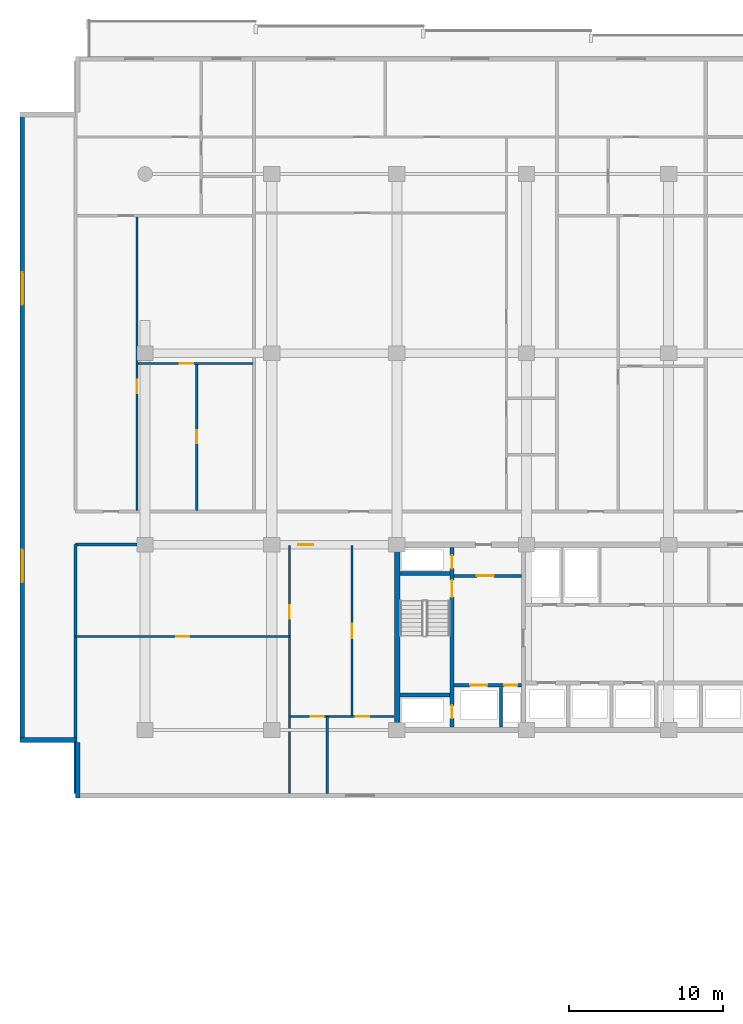
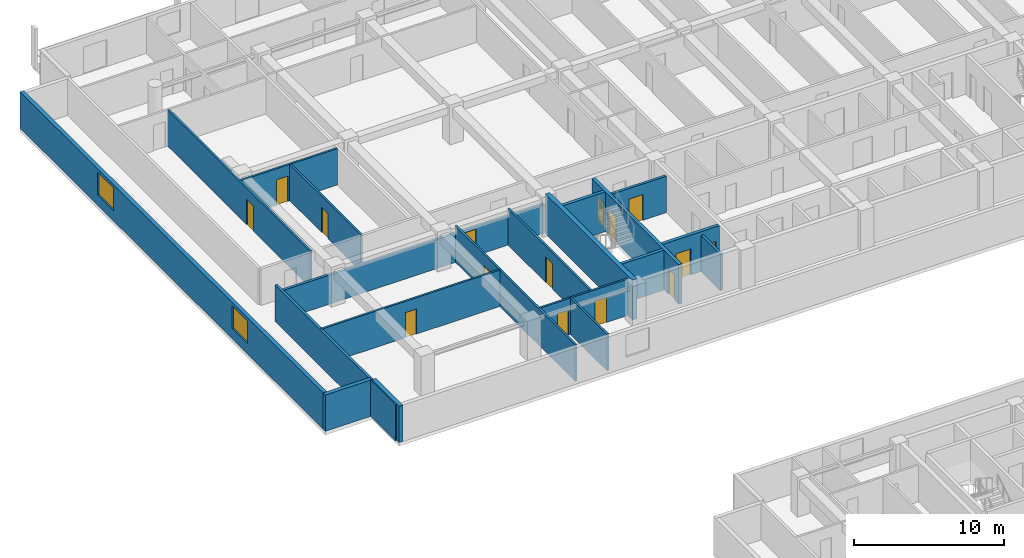
# One storey, part 10 of 24: 20 walls, 15 doors, 2 windows, 17 openings.
"""IFC4 building model written with IfcOpenShell, lengths in metres."""

from ifc_helpers import new_model, si_unit, direction, frame, frame_2d, origin, place, context, subcontext, project, spatial, rectangle, extrude, material, layer, layer_set, type_object, element, fill, save


model = new_model("IFC4")

# Units and contexts
model_context = context("Model", 3, precision=1e-05, world=origin(), true_north=direction((0.0, 1.0)))
body_context = subcontext(model_context, "Body", "Model", "MODEL_VIEW")
ifc_project = project(units=[si_unit("LENGTHUNIT", "METRE"), si_unit("AREAUNIT", "SQUARE_METRE"), si_unit("VOLUMEUNIT", "CUBIC_METRE"), si_unit("PLANEANGLEUNIT", "RADIAN"), si_unit("MASSUNIT", "GRAM", prefix="KILO")], contexts=[model_context])

# Site, building, storey
site_placement = place(None, origin())
site = spatial("IfcSite", under=ifc_project, at=site_placement, CompositionType="ELEMENT")
building_placement = place(site_placement, origin())
building = spatial("IfcBuilding", under=site, at=building_placement, Name="Korimba Cascade Residences", CompositionType="ELEMENT")
storey_placement = place(building_placement, frame((0.0, 0.0, 66.25)))
storey = spatial("IfcBuildingStorey", under=building, at=storey_placement, Name="L18", CompositionType="ELEMENT", Elevation=66.25)

# Wall, openings, windows
ifc_material_1 = material(Name="Precast concrete C40/50", Category="concrete")
ifc_layer_1 = layer(ifc_material_1, 0.300048828125)
ifc_layer_set_1 = layer_set([ifc_layer_1], Name="Precast concrete C40/50")
wall_type_1 = type_object("IfcWallType", Name="EW-STONE-300", PredefinedType="STANDARD", material=ifc_layer_set_1)
wall_1_placement = place(storey_placement, frame((51.85009765625, 95.199951171875, 0.0), z_axis=(0.0, 0.0, 1.0), x_axis=(0.0, -1.0, 0.0)))
wall_1 = element("IfcWall", 1, at=wall_1_placement, inside=storey, type_object=wall_type_1, Name="L18 T1 Perimeter Stone Wall E09", PredefinedType="STANDARD", context=body_context, shape_type="SweptSolid", body=[
    extrude(rectangle(XDim=40.800048828125, YDim=0.300048828125, at=frame_2d((20.39990234375, 0.0))), origin(), (0.0, 0.0, 1.0), 2.969970703125),
])
opening_1_placement = place(wall_1_placement, frame((10.3740234375, 0.0, 0.85009765625)))
opening_1 = element("IfcOpeningElement", 2, at=opening_1_placement, cuts=wall_1, Name="Opening W-03", PredefinedType="OPENING", context=body_context, shape_type="SweptSolid", body=[
    extrude(rectangle(XDim=2.10009765625, YDim=1.85009765625, at=frame_2d((1.050048828125, 0.925048828125))), frame((0.0, 0.16015625, 0.0), z_axis=(0.0, -1.0, 0.0), x_axis=(1.0, 0.0, 0.0)), (0.0, 0.0, 1.0), 0.320068359375),
])
opening_2_placement = place(wall_1_placement, frame((28.325927734375, 0.0, 0.85009765625)))
opening_2 = element("IfcOpeningElement", 3, at=opening_2_placement, cuts=wall_1, Name="Opening W-03", PredefinedType="OPENING", context=body_context, shape_type="SweptSolid", body=[
    extrude(rectangle(XDim=2.10009765625, YDim=1.85009765625, at=frame_2d((1.050048828125, 0.925048828125))), frame((0.0, 0.16015625, 0.0), z_axis=(0.0, -1.0, 0.0), x_axis=(1.0, 0.0, 0.0)), (0.0, 0.0, 1.0), 0.320068359375),
])
ifc_material_2 = material(Name="Double-Glazed Aluminium Window", Category="aluminium")
window_type = type_object("IfcWindowType", Name="WIN-CRN-2100", PartitioningType="DOUBLE_PANEL_HORIZONTAL", PredefinedType="WINDOW", material=ifc_material_2)
window_1_placement = place(opening_1_placement, origin())
window_1 = element("IfcWindow", 4, at=window_1_placement, inside=storey, type_object=window_type, Name="L18 T1 End View Window 9.1", OverallHeight=1.85009765625, OverallWidth=2.10009765625, PartitioningType="DOUBLE_PANEL_HORIZONTAL", PredefinedType="WINDOW", context=body_context, shape_type="SweptSolid", body=[
    extrude(rectangle(XDim=2.10009765625, YDim=1.85009765625, at=frame_2d((1.050048828125, 0.925048828125))), frame((0.0, 0.030029296875, 0.0), z_axis=(0.0, -1.0, 0.0), x_axis=(1.0, 0.0, 0.0)), (0.0, 0.0, 1.0), 0.06005859375),
])
fill(opening_1, window_1)
window_2_placement = place(opening_2_placement, origin())
window_2 = element("IfcWindow", 5, at=window_2_placement, inside=storey, type_object=window_type, Name="L18 T1 End View Window 9.2", OverallHeight=1.85009765625, OverallWidth=2.10009765625, PartitioningType="DOUBLE_PANEL_HORIZONTAL", PredefinedType="WINDOW", context=body_context, shape_type="SweptSolid", body=[
    extrude(rectangle(XDim=2.10009765625, YDim=1.85009765625, at=frame_2d((1.050048828125, 0.925048828125))), frame((0.0, 0.030029296875, 0.0), z_axis=(0.0, -1.0, 0.0), x_axis=(1.0, 0.0, 0.0)), (0.0, 0.0, 1.0), 0.06005859375),
])
fill(opening_2, window_2)

# Walls
wall_2_placement = place(storey_placement, frame((51.699951171875, 54.550048828125, 0.0), z_axis=(0.0, 0.0, 1.0), x_axis=(1.0, 0.0, 0.0)))
element("IfcWall", 6, at=wall_2_placement, inside=storey, type_object=wall_type_1, Name="L18 T1 Perimeter Stone Wall E10", PredefinedType="STANDARD", context=body_context, shape_type="SweptSolid", body=[
    extrude(rectangle(XDim=3.60009765625, YDim=0.300048828125, at=frame_2d((1.800048828125, 0.0))), origin(), (0.0, 0.0, 1.0), 2.969970703125),
])
wall_3_placement = place(storey_placement, frame((55.449951171875, 54.39990234375, 0.0), z_axis=(0.0, 0.0, 1.0), x_axis=(0.0, -1.0, 0.0)))
element("IfcWall", 7, at=wall_3_placement, inside=storey, type_object=wall_type_1, Name="L18 T1 Perimeter Stone Wall E11", PredefinedType="STANDARD", context=body_context, shape_type="SweptSolid", body=[
    extrude(rectangle(XDim=3.599853515625, YDim=0.300048828125, at=frame_2d((1.7998046875, 0.0))), origin(), (0.0, 0.0, 1.0), 2.969970703125),
])
ifc_material_3 = material(Name="Concrete C65/80", Category="concrete")
ifc_layer_2 = layer(ifc_material_3, 0.35009765625)
ifc_layer_set_2 = layer_set([ifc_layer_2], Name="Concrete C65/80")
wall_type_2 = type_object("IfcWallType", Name="WAL-CORE-350", PredefinedType="SHEAR", material=ifc_layer_set_2)
wall_4_placement = place(storey_placement, frame((76.125, 55.375, 0.0), z_axis=(0.0, 0.0, 1.0), x_axis=(0.0, 1.0, 0.0)))
element("IfcWall", 8, at=wall_4_placement, inside=storey, type_object=wall_type_2, Name="L18 Core Shear Wall CW-L18-T1-W", PredefinedType="SHEAR", context=body_context, shape_type="SweptSolid", body=[
    extrude(rectangle(XDim=11.64990234375, YDim=0.35009765625, at=frame_2d((5.824951171875, 0.0))), origin(), (0.0, 0.0, 1.0), 3.25),
])
ifc_layer_3 = layer(ifc_material_1, 0.199951171875)
ifc_layer_set_3 = layer_set([ifc_layer_3], Name="Precast concrete C40/50")
wall_type_3 = type_object("IfcWallType", Name="WAL-IT-200", PredefinedType="PARTITIONING", material=ifc_layer_set_3)
wall_5_placement = place(storey_placement, frame((55.300048828125, 51.10009765625, 0.0), z_axis=(0.0, 0.0, 1.0), x_axis=(0.0, 1.0, 0.0)))
element("IfcWall", 9, at=wall_5_placement, inside=storey, type_object=wall_type_3, Name="L18 Partition Wall WAL-L18-T1-FW-WL", PredefinedType="PARTITIONING", context=body_context, shape_type="SweptSolid", body=[
    extrude(rectangle(XDim=16.099853515625, YDim=0.199951171875, at=frame_2d((8.0498046875, 0.0))), origin(), (0.0, 0.0, 1.0), 2.969970703125),
])

# Wall, opening, door
wall_6_placement = place(storey_placement, frame((55.300048828125, 67.199951171875, 0.0), z_axis=(0.0, 0.0, 1.0), x_axis=(1.0, 0.0, 0.0)))
wall_6 = element("IfcWall", 10, at=wall_6_placement, inside=storey, type_object=wall_type_3, Name="L18 Partition Wall WAL-L18-T1-FW-N", PredefinedType="PARTITIONING", context=body_context, shape_type="SweptSolid", body=[
    extrude(rectangle(XDim=20.64990234375, YDim=0.199951171875, at=frame_2d((10.324951171875, 0.0))), origin(), (0.0, 0.0, 1.0), 2.3701171875),
])
opening_3_placement = place(wall_6_placement, frame((14.426025390625, 0.0, 0.0)))
opening_3 = element("IfcOpeningElement", 11, at=opening_3_placement, cuts=wall_6, Name="Opening D-UN1", PredefinedType="OPENING", context=body_context, shape_type="SweptSolid", body=[
    extrude(rectangle(XDim=0.949951171875, YDim=2.14990234375, at=frame_2d((0.47509765625, 1.074951171875))), frame((0.0, 0.10986328125, 0.0), z_axis=(0.0, -1.0, 0.0), x_axis=(1.0, 0.0, 0.0)), (0.0, 0.0, 1.0), 0.219970703125),
])
ifc_material_4 = material(Name="Fire-Rated Hardwood Apartment Entrance Door", Category="wood")
door_type_1 = type_object("IfcDoorType", Name="DR-FD60-950", OperationType="NOTDEFINED", PredefinedType="DOOR", material=ifc_material_4)
door_1_placement = place(opening_3_placement, origin())
door_1 = element("IfcDoor", 12, at=door_1_placement, inside=storey, type_object=door_type_1, Name="L18-T1-FW Entrance Door", OperationType="SINGLE_SWING_LEFT", OverallHeight=2.14990234375, OverallWidth=0.949951171875, PredefinedType="DOOR", context=body_context, shape_type="SweptSolid", body=[
    extrude(rectangle(XDim=0.949951171875, YDim=2.14990234375, at=frame_2d((0.47509765625, 1.074951171875))), frame((0.0, 0.02490234375, 0.0), z_axis=(0.0, -1.0, 0.0), x_axis=(1.0, 0.0, 0.0)), (0.0, 0.0, 1.0), 0.050048828125),
])
fill(opening_3, door_1)

ifc_material_5 = material(Name="Insulated Acoustic Stud Partition", Category="gypsum")
ifc_layer_4 = layer(ifc_material_5, 0.14990234375)
ifc_layer_set_4 = layer_set([ifc_layer_4], Name="Insulated Acoustic Stud Partition")
wall_type_4 = type_object("IfcWallType", Name="WAL-PART-150", PredefinedType="PARTITIONING", material=ifc_layer_set_4)
wall_7_placement = place(storey_placement, frame((55.300048828125, 61.25, 0.0), z_axis=(0.0, 0.0, 1.0), x_axis=(1.0, 0.0, 0.0)))
wall_7 = element("IfcWall", 13, at=wall_7_placement, inside=storey, type_object=wall_type_4, Name="L18 Partition Wall WAL-L18-T1-FW-STH", PredefinedType="PARTITIONING", context=body_context, shape_type="SweptSolid", body=[
    extrude(rectangle(XDim=13.849853515625, YDim=0.14990234375, at=frame_2d((6.9248046875, 0.0))), origin(), (0.0, 0.0, 1.0), 2.969970703125),
])
opening_4_placement = place(wall_7_placement, frame((6.5048828125, 0.0, 0.0)))
opening_4 = element("IfcOpeningElement", 14, at=opening_4_placement, cuts=wall_7, Name="Opening D-BT1", PredefinedType="OPENING", context=body_context, shape_type="SweptSolid", body=[
    extrude(rectangle(XDim=0.840087890625, YDim=2.0400390625, at=frame_2d((0.419921875, 1.02001953125))), frame((0.0, 0.0849609375, 0.0), z_axis=(0.0, -1.0, 0.0), x_axis=(1.0, 0.0, 0.0)), (0.0, 0.0, 1.0), 0.169921875),
])
ifc_material_6 = material(Name="Moisture-Resistant Bathroom Timber Door", Category="wood")
door_type_2 = type_object("IfcDoorType", Name="DR-INT-850", OperationType="NOTDEFINED", PredefinedType="DOOR", material=ifc_material_6)
door_2_placement = place(opening_4_placement, origin())
door_2 = element("IfcDoor", 15, at=door_2_placement, inside=storey, type_object=door_type_2, Name="L18-T1-FW Dressing Store Door", OperationType="SINGLE_SWING_RIGHT", OverallHeight=2.0400390625, OverallWidth=0.840087890625, PredefinedType="DOOR", context=body_context, shape_type="SweptSolid", body=[
    extrude(rectangle(XDim=0.840087890625, YDim=2.0400390625, at=frame_2d((0.419921875, 1.02001953125))), frame((0.0, 0.02490234375, 0.0), z_axis=(0.0, -1.0, 0.0), x_axis=(1.0, 0.0, 0.0)), (0.0, 0.0, 1.0), 0.050048828125),
])
fill(opening_4, door_2)

wall_8_placement = place(storey_placement, frame((69.14990234375, 51.10009765625, 0.0), z_axis=(0.0, 0.0, 1.0), x_axis=(0.0, 1.0, 0.0)))
wall_8 = element("IfcWall", 16, at=wall_8_placement, inside=storey, type_object=wall_type_4, Name="L18 Partition Wall WAL-L18-T1-FW-STV", PredefinedType="PARTITIONING", context=body_context, shape_type="SweptSolid", body=[
    extrude(rectangle(XDim=16.0498046875, YDim=0.14990234375, at=frame_2d((8.02490234375, 0.0))), origin(), (0.0, 0.0, 1.0), 2.969970703125),
])
opening_5_placement = place(wall_8_placement, frame((11.300048828125, 0.0, 0.0)))
opening_5 = element("IfcOpeningElement", 17, at=opening_5_placement, cuts=wall_8, Name="Opening D-IN2", PredefinedType="OPENING", context=body_context, shape_type="SweptSolid", body=[
    extrude(rectangle(XDim=0.8798828125, YDim=2.06005859375, at=frame_2d((0.43994140625, 1.030029296875))), frame((0.0, 0.0849609375, 0.0), z_axis=(0.0, -1.0, 0.0), x_axis=(1.0, 0.0, 0.0)), (0.0, 0.0, 1.0), 0.169921875),
])
ifc_material_7 = material(Name="Acoustic Timber Bedroom Door", Category="wood")
door_type_3 = type_object("IfcDoorType", Name="DR-INT-880", OperationType="NOTDEFINED", PredefinedType="DOOR", material=ifc_material_7)
door_3_placement = place(opening_5_placement, origin())
door_3 = element("IfcDoor", 18, at=door_3_placement, inside=storey, type_object=door_type_3, Name="L18-T1-FW Study Door", OperationType="SINGLE_SWING_LEFT", OverallHeight=2.06005859375, OverallWidth=0.8798828125, PredefinedType="DOOR", context=body_context, shape_type="SweptSolid", body=[
    extrude(rectangle(XDim=0.8798828125, YDim=2.06005859375, at=frame_2d((0.43994140625, 1.030029296875))), frame((0.0, 0.02490234375, 0.0), z_axis=(0.0, -1.0, 0.0), x_axis=(1.0, 0.0, 0.0)), (0.0, 0.0, 1.0), 0.050048828125),
])
fill(opening_5, door_3)

wall_9_placement = place(storey_placement, frame((73.199951171875, 56.070068359375, 0.0), z_axis=(0.0, 0.0, 1.0), x_axis=(0.0, 1.0, 0.0)))
wall_9 = element("IfcWall", 19, at=wall_9_placement, inside=storey, type_object=wall_type_4, Name="L18 Partition Wall WAL-L18-T1-FW-VN", PredefinedType="PARTITIONING", context=body_context, shape_type="SweptSolid", body=[
    extrude(rectangle(XDim=11.079833984375, YDim=0.14990234375, at=frame_2d((5.5400390625, 0.0))), origin(), (0.0, 0.0, 1.0), 2.969970703125),
])
opening_6_placement = place(wall_9_placement, frame((5.080078125, 0.0, 0.0)))
opening_6 = element("IfcOpeningElement", 20, at=opening_6_placement, cuts=wall_9, Name="Opening D-IN1", PredefinedType="OPENING", context=body_context, shape_type="SweptSolid", body=[
    extrude(rectangle(XDim=0.919921875, YDim=2.080078125, at=frame_2d((0.4599609375, 1.0400390625))), frame((0.0, 0.0849609375, 0.0), z_axis=(0.0, -1.0, 0.0), x_axis=(1.0, 0.0, 0.0)), (0.0, 0.0, 1.0), 0.169921875),
])
ifc_material_8 = material(Name="Acoustic Timber Living Door", Category="wood")
door_type_4 = type_object("IfcDoorType", Name="DR-INT-920", OperationType="NOTDEFINED", PredefinedType="DOOR", material=ifc_material_8)
door_4_placement = place(opening_6_placement, origin())
door_4 = element("IfcDoor", 21, at=door_4_placement, inside=storey, type_object=door_type_4, Name="L18-T1-FW Living Door", OperationType="SINGLE_SWING_RIGHT", OverallHeight=2.080078125, OverallWidth=0.919921875, PredefinedType="DOOR", context=body_context, shape_type="SweptSolid", body=[
    extrude(rectangle(XDim=0.919921875, YDim=2.080078125, at=frame_2d((0.4599609375, 1.0400390625))), frame((0.0, 0.02490234375, 0.0), z_axis=(0.0, -1.0, 0.0), x_axis=(1.0, 0.0, 0.0)), (0.0, 0.0, 1.0), 0.050048828125),
])
fill(opening_6, door_4)

# Wall
wall_10_placement = place(storey_placement, frame((71.60009765625, 51.10009765625, 0.0), z_axis=(0.0, 0.0, 1.0), x_axis=(0.0, 1.0, 0.0)))
element("IfcWall", 22, at=wall_10_placement, inside=storey, type_object=wall_type_4, Name="L18 Partition Wall WAL-L18-T1-FW-VS", PredefinedType="PARTITIONING", context=body_context, shape_type="SweptSolid", body=[
    extrude(rectangle(XDim=4.969970703125, YDim=0.14990234375, at=frame_2d((2.48486328125, 0.0))), origin(), (0.0, 0.0, 1.0), 2.969970703125),
])

# Wall, openings, doors
wall_11_placement = place(storey_placement, frame((69.169921875, 56.070068359375, 0.0), z_axis=(0.0, 0.0, 1.0), x_axis=(1.0, 0.0, 0.0)))
wall_11 = element("IfcWall", 23, at=wall_11_placement, inside=storey, type_object=wall_type_4, Name="L18 Partition Wall WAL-L18-T1-FW-H", PredefinedType="PARTITIONING", context=body_context, shape_type="SweptSolid", body=[
    extrude(rectangle(XDim=6.760009765625, YDim=0.14990234375, at=frame_2d((3.3798828125, 0.0))), origin(), (0.0, 0.0, 1.0), 2.969970703125),
])
opening_7_placement = place(wall_11_placement, frame((1.3623046875, 0.0, 0.0)))
opening_7 = element("IfcOpeningElement", 24, at=opening_7_placement, cuts=wall_11, Name="Opening D-BT1", PredefinedType="OPENING", context=body_context, shape_type="SweptSolid", body=[
    extrude(rectangle(XDim=0.840087890625, YDim=2.0400390625, at=frame_2d((0.419921875, 1.02001953125))), frame((0.0, 0.0849609375, 0.0), z_axis=(0.0, -1.0, 0.0), x_axis=(1.0, 0.0, 0.0)), (0.0, 0.0, 1.0), 0.169921875),
])
opening_8_placement = place(wall_11_placement, frame((4.276611328125, 0.0, 0.0)))
opening_8 = element("IfcOpeningElement", 25, at=opening_8_placement, cuts=wall_11, Name="Opening D-IN2", PredefinedType="OPENING", context=body_context, shape_type="SweptSolid", body=[
    extrude(rectangle(XDim=0.8798828125, YDim=2.06005859375, at=frame_2d((0.43994140625, 1.030029296875))), frame((0.0, 0.0849609375, 0.0), z_axis=(0.0, -1.0, 0.0), x_axis=(1.0, 0.0, 0.0)), (0.0, 0.0, 1.0), 0.169921875),
])
door_5_placement = place(opening_7_placement, origin())
door_5 = element("IfcDoor", 26, at=door_5_placement, inside=storey, type_object=door_type_2, Name="L18-T1-FW Bathroom Door", OperationType="SINGLE_SWING_LEFT", OverallHeight=2.0400390625, OverallWidth=0.840087890625, PredefinedType="DOOR", context=body_context, shape_type="SweptSolid", body=[
    extrude(rectangle(XDim=0.840087890625, YDim=2.0400390625, at=frame_2d((0.419921875, 1.02001953125))), frame((0.0, 0.02490234375, 0.0), z_axis=(0.0, -1.0, 0.0), x_axis=(1.0, 0.0, 0.0)), (0.0, 0.0, 1.0), 0.050048828125),
])
fill(opening_7, door_5)
door_6_placement = place(opening_8_placement, origin())
door_6 = element("IfcDoor", 27, at=door_6_placement, inside=storey, type_object=door_type_3, Name="L18-T1-FW Bedroom Door", OperationType="SINGLE_SWING_RIGHT", OverallHeight=2.06005859375, OverallWidth=0.8798828125, PredefinedType="DOOR", context=body_context, shape_type="SweptSolid", body=[
    extrude(rectangle(XDim=0.8798828125, YDim=2.06005859375, at=frame_2d((0.43994140625, 1.030029296875))), frame((0.0, 0.02490234375, 0.0), z_axis=(0.0, -1.0, 0.0), x_axis=(1.0, 0.0, 0.0)), (0.0, 0.0, 1.0), 0.050048828125),
])
fill(opening_8, door_6)

# Wall, opening, door
wall_12_placement = place(storey_placement, frame((63.152099609375, 69.409912109375, 0.0), z_axis=(0.0, 0.0, 1.0), x_axis=(0.0, 1.0, 0.0)))
wall_12 = element("IfcWall", 28, at=wall_12_placement, inside=storey, type_object=wall_type_4, Name="L18 Partition Wall WAL-L18-T1-U01-FMV", PredefinedType="PARTITIONING", context=body_context, shape_type="SweptSolid", body=[
    extrude(rectangle(XDim=9.525146484375, YDim=0.14990234375, at=frame_2d((4.7626953125, 0.0))), origin(), (0.0, 0.0, 1.0), 2.969970703125),
])
opening_9_placement = place(wall_12_placement, frame((4.342529296875, 0.0, 0.0)))
opening_9 = element("IfcOpeningElement", 29, at=opening_9_placement, cuts=wall_12, Name="Opening D-BT1", PredefinedType="OPENING", context=body_context, shape_type="SweptSolid", body=[
    extrude(rectangle(XDim=0.840087890625, YDim=2.0400390625, at=frame_2d((0.419921875, 1.02001953125))), frame((0.0, 0.0849609375, 0.0), z_axis=(0.0, -1.0, 0.0), x_axis=(1.0, 0.0, 0.0)), (0.0, 0.0, 1.0), 0.169921875),
])
door_7_placement = place(opening_9_placement, origin())
door_7 = element("IfcDoor", 30, at=door_7_placement, inside=storey, type_object=door_type_2, Name="L18-T1-U01 Wardrobe Door", OperationType="SINGLE_SWING_RIGHT", OverallHeight=2.0400390625, OverallWidth=0.840087890625, PredefinedType="DOOR", context=body_context, shape_type="SweptSolid", body=[
    extrude(rectangle(XDim=0.840087890625, YDim=2.0400390625, at=frame_2d((0.419921875, 1.02001953125))), frame((0.0, 0.02490234375, 0.0), z_axis=(0.0, -1.0, 0.0), x_axis=(1.0, 0.0, 0.0)), (0.0, 0.0, 1.0), 0.050048828125),
])
fill(opening_9, door_7)

wall_13_placement = place(storey_placement, frame((59.330078125, 78.93505859375, 0.0), z_axis=(0.0, 0.0, 1.0), x_axis=(1.0, 0.0, 0.0)))
wall_13 = element("IfcWall", 31, at=wall_13_placement, inside=storey, type_object=wall_type_4, Name="L18 Partition Wall WAL-L18-T1-U01-FMH", PredefinedType="PARTITIONING", context=body_context, shape_type="SweptSolid", body=[
    extrude(rectangle(XDim=7.4443359375, YDim=0.14990234375, at=frame_2d((3.72216796875, 0.0))), origin(), (0.0, 0.0, 1.0), 2.969970703125),
])
opening_10_placement = place(wall_13_placement, frame((2.72216796875, 0.0, 0.0)))
opening_10 = element("IfcOpeningElement", 32, at=opening_10_placement, cuts=wall_13, Name="Opening D-IN2", PredefinedType="OPENING", context=body_context, shape_type="SweptSolid", body=[
    extrude(rectangle(XDim=0.8798828125, YDim=2.06005859375, at=frame_2d((0.43994140625, 1.030029296875))), frame((0.0, 0.0849609375, 0.0), z_axis=(0.0, -1.0, 0.0), x_axis=(1.0, 0.0, 0.0)), (0.0, 0.0, 1.0), 0.169921875),
])
door_8_placement = place(opening_10_placement, origin())
door_8 = element("IfcDoor", 33, at=door_8_placement, inside=storey, type_object=door_type_3, Name="L18-T1-U01 Library Salon Door", OperationType="SINGLE_SWING_LEFT", OverallHeight=2.06005859375, OverallWidth=0.8798828125, PredefinedType="DOOR", context=body_context, shape_type="SweptSolid", body=[
    extrude(rectangle(XDim=0.8798828125, YDim=2.06005859375, at=frame_2d((0.43994140625, 1.030029296875))), frame((0.0, 0.02490234375, 0.0), z_axis=(0.0, -1.0, 0.0), x_axis=(1.0, 0.0, 0.0)), (0.0, 0.0, 1.0), 0.050048828125),
])
fill(opening_10, door_8)

wall_14_placement = place(storey_placement, frame((59.27001953125, 69.409912109375, 0.0), z_axis=(0.0, 0.0, 1.0), x_axis=(0.0, 1.0, 0.0)))
wall_14 = element("IfcWall", 34, at=wall_14_placement, inside=storey, type_object=wall_type_4, Name="L18 Partition Wall WAL-L18-T1-U01-FV", PredefinedType="PARTITIONING", context=body_context, shape_type="SweptSolid", body=[
    extrude(rectangle(XDim=19.050048828125, YDim=0.14990234375, at=frame_2d((9.52490234375, 0.0))), origin(), (0.0, 0.0, 1.0), 2.969970703125),
])
opening_11_placement = place(wall_14_placement, frame((7.590576171875, 0.0, 0.0)))
opening_11 = element("IfcOpeningElement", 35, at=opening_11_placement, cuts=wall_14, Name="Opening D-IN2", PredefinedType="OPENING", context=body_context, shape_type="SweptSolid", body=[
    extrude(rectangle(XDim=0.8798828125, YDim=2.06005859375, at=frame_2d((0.43994140625, 1.030029296875))), frame((0.0, 0.0849609375, 0.0), z_axis=(0.0, -1.0, 0.0), x_axis=(1.0, 0.0, 0.0)), (0.0, 0.0, 1.0), 0.169921875),
])
door_9_placement = place(opening_11_placement, origin())
door_9 = element("IfcDoor", 36, at=door_9_placement, inside=storey, type_object=door_type_3, Name="L18-T1-U01 Media Lounge Door", OperationType="SINGLE_SWING_RIGHT", OverallHeight=2.06005859375, OverallWidth=0.8798828125, PredefinedType="DOOR", context=body_context, shape_type="SweptSolid", body=[
    extrude(rectangle(XDim=0.8798828125, YDim=2.06005859375, at=frame_2d((0.43994140625, 1.030029296875))), frame((0.0, 0.02490234375, 0.0), z_axis=(0.0, -1.0, 0.0), x_axis=(1.0, 0.0, 0.0)), (0.0, 0.0, 1.0), 0.050048828125),
])
fill(opening_11, door_9)

# Wall
ifc_material_9 = material(Name="Concrete C40/50", Category="concrete")
ifc_layer_5 = layer(ifc_material_9, 0.199951171875)
ifc_layer_set_5 = layer_set([ifc_layer_5], Name="Concrete C40/50")
wall_type_5 = type_object("IfcWallType", Name="WAL-PART-200", PredefinedType="PARTITIONING", material=ifc_layer_set_5)
wall_15_placement = place(storey_placement, frame((82.85009765625, 55.39990234375, 0.0), z_axis=(0.0, 0.0, 1.0), x_axis=(0.0, 1.0, 0.0)))
element("IfcWall", 37, at=wall_15_placement, inside=storey, type_object=wall_type_5, Name="L18 Partition Wall CW-L18-T1-FFLDIV", PredefinedType="PARTITIONING", context=body_context, shape_type="SweptSolid", body=[
    extrude(rectangle(XDim=2.56005859375, YDim=0.199951171875, at=frame_2d((1.280029296875, 0.0))), origin(), (0.0, 0.0, 1.0), 2.969970703125),
])

# Wall, opening, door
wall_16_placement = place(storey_placement, frame((79.7900390625, 65.179931640625, 0.0), z_axis=(0.0, 0.0, 1.0), x_axis=(1.0, 0.0, 0.0)))
wall_16 = element("IfcWall", 38, at=wall_16_placement, inside=storey, type_object=wall_type_5, Name="L18 Partition Wall CW-L18-T1-FFLN", PredefinedType="PARTITIONING", context=body_context, shape_type="SweptSolid", body=[
    extrude(rectangle(XDim=4.389892578125, YDim=0.199951171875, at=frame_2d((2.19482421875, 0.0))), origin(), (0.0, 0.0, 1.0), 2.969970703125),
])
opening_12_placement = place(wall_16_placement, frame((1.5, 0.0, 0.0)))
opening_12 = element("IfcOpeningElement", 39, at=opening_12_placement, cuts=wall_16, Name="Opening D-FD1", PredefinedType="OPENING", context=body_context, shape_type="SweptSolid", body=[
    extrude(rectangle(XDim=1.10009765625, YDim=2.10009765625, at=frame_2d((0.550048828125, 1.050048828125))), frame((0.0, 0.10986328125, 0.0), z_axis=(0.0, -1.0, 0.0), x_axis=(1.0, 0.0, 0.0)), (0.0, 0.0, 1.0), 0.219970703125),
])
ifc_material_10 = material(Name="Fire-Rated Steel Core Door", Category="steel")
door_type_5 = type_object("IfcDoorType", Name="DR-FD120-1100", OperationType="NOTDEFINED", PredefinedType="DOOR", material=ifc_material_10)
door_10_placement = place(opening_12_placement, origin())
door_10 = element("IfcDoor", 40, at=door_10_placement, inside=storey, type_object=door_type_5, Name="L18 West Firefighting Lobby Door", OperationType="SINGLE_SWING_RIGHT", OverallHeight=2.10009765625, OverallWidth=1.10009765625, PredefinedType="DOOR", context=body_context, shape_type="SweptSolid", body=[
    extrude(rectangle(XDim=1.10009765625, YDim=2.10009765625, at=frame_2d((0.550048828125, 1.050048828125))), frame((0.0, 0.02490234375, 0.0), z_axis=(0.0, -1.0, 0.0), x_axis=(1.0, 0.0, 0.0)), (0.0, 0.0, 1.0), 0.050048828125),
])
fill(opening_12, door_10)

# Wall, openings, doors
ifc_material_11 = material(Name="Concrete C50/60", Category="concrete")
ifc_layer_6 = layer(ifc_material_11, 0.25)
ifc_layer_set_6 = layer_set([ifc_layer_6], Name="Concrete C50/60")
wall_type_6 = type_object("IfcWallType", Name="WAL-SHAFT-250", PredefinedType="SHEAR", material=ifc_layer_set_6)
wall_17_placement = place(storey_placement, frame((79.6650390625, 55.39990234375, 0.0), z_axis=(0.0, 0.0, 1.0), x_axis=(0.0, 1.0, 0.0)))
wall_17 = element("IfcWall", 41, at=wall_17_placement, inside=storey, type_object=wall_type_6, Name="L18 Core Shear Wall CW-L18-T1-STW1E", PredefinedType="SHEAR", context=body_context, shape_type="SweptSolid", body=[
    extrude(rectangle(XDim=11.60009765625, YDim=0.25, at=frame_2d((5.800048828125, 0.0))), origin(), (0.0, 0.0, 1.0), 3.25),
])
opening_13_placement = place(wall_17_placement, frame((0.550048828125, 0.0, 0.0)))
opening_13 = element("IfcOpeningElement", 42, at=opening_13_placement, cuts=wall_17, Name="Opening D-RS1", PredefinedType="OPENING", context=body_context, shape_type="SweptSolid", body=[
    extrude(rectangle(XDim=0.85009765625, YDim=2.050048828125, at=frame_2d((0.425048828125, 1.02490234375))), frame((0.0, 0.135009765625, 0.0), z_axis=(0.0, -1.0, 0.0), x_axis=(1.0, 0.0, 0.0)), (0.0, 0.0, 1.0), 0.27001953125),
])
opening_14_placement = place(wall_17_placement, frame((8.39990234375, 0.0, 0.0)))
opening_14 = element("IfcOpeningElement", 43, at=opening_14_placement, cuts=wall_17, Name="Opening D-FD1", PredefinedType="OPENING", context=body_context, shape_type="SweptSolid", body=[
    extrude(rectangle(XDim=1.10009765625, YDim=2.10009765625, at=frame_2d((0.550048828125, 1.050048828125))), frame((0.0, 0.135009765625, 0.0), z_axis=(0.0, -1.0, 0.0), x_axis=(1.0, 0.0, 0.0)), (0.0, 0.0, 1.0), 0.27001953125),
])
opening_15_placement = place(wall_17_placement, frame((10.25, 0.0, 0.0)))
opening_15 = element("IfcOpeningElement", 44, at=opening_15_placement, cuts=wall_17, Name="Opening D-RS1", PredefinedType="OPENING", context=body_context, shape_type="SweptSolid", body=[
    extrude(rectangle(XDim=0.85009765625, YDim=2.050048828125, at=frame_2d((0.425048828125, 1.02490234375))), frame((0.0, 0.135009765625, 0.0), z_axis=(0.0, -1.0, 0.0), x_axis=(1.0, 0.0, 0.0)), (0.0, 0.0, 1.0), 0.27001953125),
])
door_11_placement = place(opening_14_placement, origin())
door_11 = element("IfcDoor", 45, at=door_11_placement, inside=storey, type_object=door_type_5, Name="L18 Fire Stair ST-W1 Door", OperationType="SINGLE_SWING_LEFT", OverallHeight=2.10009765625, OverallWidth=1.10009765625, PredefinedType="DOOR", context=body_context, shape_type="SweptSolid", body=[
    extrude(rectangle(XDim=1.10009765625, YDim=2.10009765625, at=frame_2d((0.550048828125, 1.050048828125))), frame((0.0, 0.02490234375, 0.0), z_axis=(0.0, -1.0, 0.0), x_axis=(1.0, 0.0, 0.0)), (0.0, 0.0, 1.0), 0.050048828125),
])
fill(opening_14, door_11)
ifc_material_12 = material(Name="Fire-Rated Steel Riser Access Door", Category="steel")
door_type_6 = type_object("IfcDoorType", Name="DR-FD60-850", OperationType="NOTDEFINED", PredefinedType="DOOR", material=ifc_material_12)
door_12_placement = place(opening_13_placement, origin())
door_12 = element("IfcDoor", 46, at=door_12_placement, inside=storey, type_object=door_type_6, Name="L18 Smoke Riser Access Door", OperationType="SINGLE_SWING_RIGHT", OverallHeight=2.050048828125, OverallWidth=0.85009765625, PredefinedType="DOOR", context=body_context, shape_type="SweptSolid", body=[
    extrude(rectangle(XDim=0.85009765625, YDim=2.050048828125, at=frame_2d((0.425048828125, 1.02490234375))), frame((0.0, 0.02490234375, 0.0), z_axis=(0.0, -1.0, 0.0), x_axis=(1.0, 0.0, 0.0)), (0.0, 0.0, 1.0), 0.050048828125),
])
fill(opening_13, door_12)
door_13_placement = place(opening_15_placement, origin())
door_13 = element("IfcDoor", 47, at=door_13_placement, inside=storey, type_object=door_type_6, Name="L18 Hydrant Riser Access Door", OperationType="SINGLE_SWING_RIGHT", OverallHeight=2.050048828125, OverallWidth=0.85009765625, PredefinedType="DOOR", context=body_context, shape_type="SweptSolid", body=[
    extrude(rectangle(XDim=0.85009765625, YDim=2.050048828125, at=frame_2d((0.425048828125, 1.02490234375))), frame((0.0, 0.02490234375, 0.0), z_axis=(0.0, -1.0, 0.0), x_axis=(1.0, 0.0, 0.0)), (0.0, 0.0, 1.0), 0.050048828125),
])
fill(opening_15, door_13)

# Walls
for number, where, z_axis, x_axis, name in (
    (48, (76.300048828125, 57.47509765625, 0.0), (0.0, 0.0, 1.0), (1.0, 0.0, 0.0), "L18 Core Shear Wall CW-L18-T1-STW1S"),
    (49, (76.300048828125, 65.324951171875, 0.0), (0.0, 0.0, 1.0), (1.0, 0.0, 0.0), "L18 Core Shear Wall CW-L18-T1-STW1N"),
):
    element("IfcWall", number, at=place(storey_placement, frame(where, z_axis=z_axis, x_axis=x_axis)), inside=storey, type_object=wall_type_6, Name=name, PredefinedType="SHEAR", context=body_context, shape_type="SweptSolid", body=[
        extrude(rectangle(XDim=3.239990234375, YDim=0.25, at=frame_2d((1.6201171875, 0.0))), origin(), (0.0, 0.0, 1.0), 3.25),
    ])

# Wall, openings, doors
wall_18_placement = place(storey_placement, frame((79.7900390625, 58.10009765625, 0.0), z_axis=(0.0, 0.0, 1.0), x_axis=(1.0, 0.0, 0.0)))
wall_18 = element("IfcWall", 50, at=wall_18_placement, inside=storey, type_object=wall_type_6, Name="L18 Core Shear Wall CW-L18-T1-FFLS", PredefinedType="SHEAR", context=body_context, shape_type="SweptSolid", body=[
    extrude(rectangle(XDim=4.389892578125, YDim=0.25, at=frame_2d((2.19482421875, 0.0))), origin(), (0.0, 0.0, 1.0), 3.25),
])
opening_16_placement = place(wall_18_placement, frame((1.050048828125, 0.0, 0.0)))
opening_16 = element("IfcOpeningElement", 51, at=opening_16_placement, cuts=wall_18, Name="Opening LD-01", PredefinedType="OPENING", context=body_context, shape_type="SweptSolid", body=[
    extrude(rectangle(XDim=1.1201171875, YDim=2.1201171875, at=frame_2d((0.56005859375, 1.06005859375))), frame((0.0, 0.135009765625, 0.0), z_axis=(0.0, -1.0, 0.0), x_axis=(1.0, 0.0, 0.0)), (0.0, 0.0, 1.0), 0.27001953125),
])
opening_17_placement = place(wall_18_placement, frame((3.260009765625, 0.0, 0.0)))
opening_17 = element("IfcOpeningElement", 52, at=opening_17_placement, cuts=wall_18, Name="Opening D-RS1", PredefinedType="OPENING", context=body_context, shape_type="SweptSolid", body=[
    extrude(rectangle(XDim=0.85009765625, YDim=2.050048828125, at=frame_2d((0.425048828125, 1.02490234375))), frame((0.0, 0.135009765625, 0.0), z_axis=(0.0, -1.0, 0.0), x_axis=(1.0, 0.0, 0.0)), (0.0, 0.0, 1.0), 0.27001953125),
])
door_14_placement = place(opening_17_placement, origin())
door_14 = element("IfcDoor", 53, at=door_14_placement, inside=storey, type_object=door_type_6, Name="L18 Pressurisation Riser Door", OperationType="SINGLE_SWING_LEFT", OverallHeight=2.050048828125, OverallWidth=0.85009765625, PredefinedType="DOOR", context=body_context, shape_type="SweptSolid", body=[
    extrude(rectangle(XDim=0.85009765625, YDim=2.050048828125, at=frame_2d((0.425048828125, 1.02490234375))), frame((0.0, 0.02490234375, 0.0), z_axis=(0.0, -1.0, 0.0), x_axis=(1.0, 0.0, 0.0)), (0.0, 0.0, 1.0), 0.050048828125),
])
fill(opening_17, door_14)
ifc_material_13 = material(Name="Stainless Steel Lift Landing Sliding Door", Category="steel")
door_type_7 = type_object("IfcDoorType", Name="DR-LIFT-1100", OperationType="NOTDEFINED", PredefinedType="DOOR", material=ifc_material_13)
door_15_placement = place(opening_16_placement, origin())
door_15 = element("IfcDoor", 54, at=door_15_placement, inside=storey, type_object=door_type_7, Name="L18 Firefighting Lift Landing Door FFL-W1", OperationType="SLIDING_TO_LEFT", OverallHeight=2.1201171875, OverallWidth=1.1201171875, PredefinedType="DOOR", context=body_context, shape_type="SweptSolid", body=[
    extrude(rectangle(XDim=1.1201171875, YDim=2.1201171875, at=frame_2d((0.56005859375, 1.06005859375))), frame((0.0, 0.02490234375, 0.0), z_axis=(0.0, -1.0, 0.0), x_axis=(1.0, 0.0, 0.0)), (0.0, 0.0, 1.0), 0.050048828125),
])
fill(opening_16, door_15)

save(model, "model.ifc")
